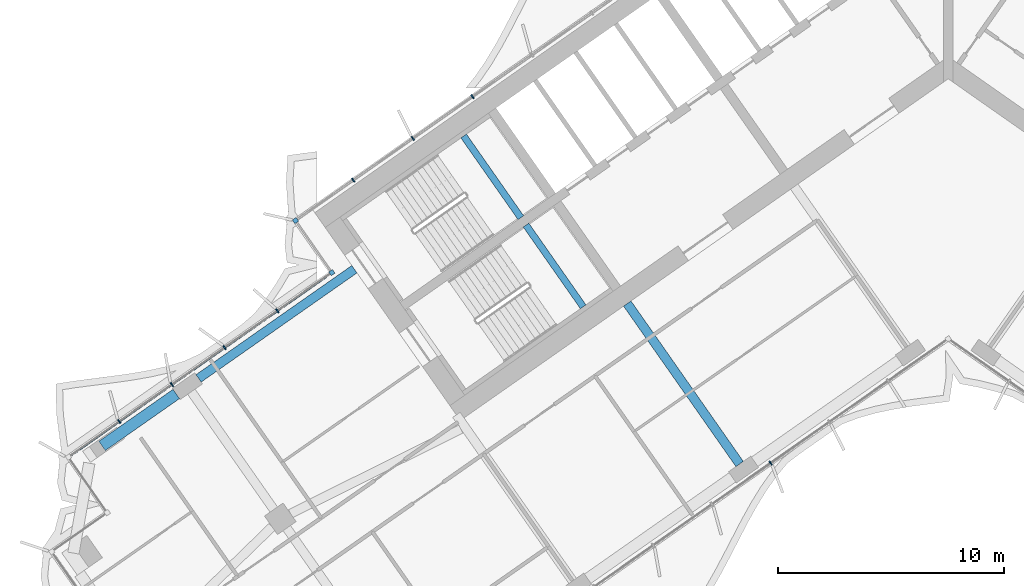
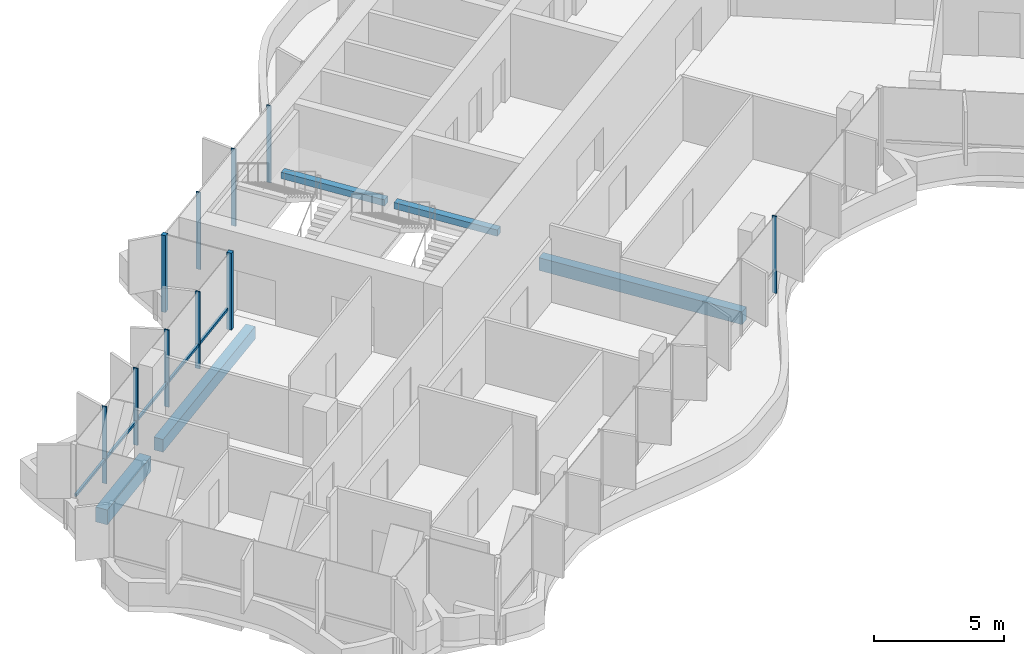
# One storey, part 4 of 21: 11 members, 5 beams, 2 elements without a shape of their own.
"""IFC4 building model written with IfcOpenShell, lengths in metres."""

from ifc_helpers import new_model, si_unit, direction, frame, origin, origin_2d, place, context, subcontext, project, spatial, rectangle, extrude, material, material_profile, profile_set, type_object, element, aggregate, save


model = new_model("IFC4")

# Units and contexts
model_context = context("Model", 3, precision=1e-05, world=origin(), true_north=direction((0.0, 1.0)))
body_context = subcontext(model_context, "Body", "Model", "MODEL_VIEW")
ifc_project = project(units=[si_unit("LENGTHUNIT", "METRE"), si_unit("AREAUNIT", "SQUARE_METRE"), si_unit("VOLUMEUNIT", "CUBIC_METRE"), si_unit("PLANEANGLEUNIT", "RADIAN"), si_unit("MASSUNIT", "GRAM", prefix="KILO")], contexts=[model_context])

# Site, building, storey
site_placement = place(None, origin())
site = spatial("IfcSite", under=ifc_project, at=site_placement, CompositionType="ELEMENT")
building_placement = place(site_placement, origin())
building = spatial("IfcBuilding", under=site, at=building_placement, Name="Tel Ilan Convention Tower", CompositionType="ELEMENT")
storey_placement = place(building_placement, frame((0.0, 0.0, 163.199951171875)))
storey = spatial("IfcBuildingStorey", under=building, at=storey_placement, Name="L37", CompositionType="ELEMENT", Elevation=163.199951171875)

# Beams
ifc_material_1 = material(Name="Concrete C40/50", Category="concrete")
ifc_material_profile_1 = material_profile(ifc_material_1, rectangle(XDim=0.39990234375, YDim=0.60009765625, at=origin_2d()), Name="RC 400x600")
ifc_profile_set_1 = profile_set([ifc_material_profile_1], Name="Concrete C40/50")
beam_type_1 = type_object("IfcBeamType", Name="Beam RC 400x600 Concrete C40/50", PredefinedType="BEAM", material=ifc_profile_set_1)
beam_1_placement = place(storey_placement, frame((-33.09912109375, -14.44775390625, -0.579833984375), z_axis=(0.819147254605, 0.573583276668, 0.0), x_axis=(-0.573583276668, 0.819147254605, 0.0)))
element("IfcBeam", 1, at=beam_1_placement, inside=storey, type_object=beam_type_1, Name="L37 beam W-W-B4-core", PredefinedType="BEAM", context=body_context, shape_type="SweptSolid", body=[
    extrude(rectangle(XDim=0.39990234375, YDim=0.60009765625, at=origin_2d()), origin(), (0.0, 0.0, 1.0), 8.400146484375),
])
beam_2_placement = place(storey_placement, frame((-9.209716796875, -18.229248046875, -0.579833984375), z_axis=(-0.573574099654, 0.819153680457, 0.0), x_axis=(-0.819153680457, -0.573574099654, 0.0)))
element("IfcBeam", 2, at=beam_2_placement, inside=storey, type_object=beam_type_1, Name="L37 beam W-W-F2-core", PredefinedType="BEAM", context=body_context, shape_type="SweptSolid", body=[
    extrude(rectangle(XDim=0.39990234375, YDim=0.60009765625, at=origin_2d()), origin(), (0.0, 0.0, 1.0), 8.64990234375),
])
ifc_material_2 = material(Name="Concrete C40/50", Category="concrete")
ifc_material_profile_2 = material_profile(ifc_material_2, rectangle(XDim=0.5, YDim=0.699951171875, at=origin_2d()), Name="RC 500x700")
ifc_profile_set_2 = profile_set([ifc_material_profile_2], Name="Concrete C40/50")
beam_type_2 = type_object("IfcBeamType", Name="Beam RC 500x700 Concrete C40/50", PredefinedType="BEAM", material=ifc_profile_set_2)
beam_3_placement = place(storey_placement, frame((-37.358642578125, -17.430419921875, -0.6298828125), z_axis=(0.819137286189, 0.573597512525, 0.0), x_axis=(-0.573597512525, 0.819137286189, 0.0)))
element("IfcBeam", 3, at=beam_3_placement, inside=storey, type_object=beam_type_2, Name="L37 beam W-W-BC-W-B4", PredefinedType="BEAM", context=body_context, shape_type="SweptSolid", body=[
    extrude(rectangle(XDim=0.5, YDim=0.699951171875, at=origin_2d()), origin(), (0.0, 0.0, 1.0), 4.0),
])

# Curtain wall, members
ifc_material_3 = material(Name="Aluminium, bronze anodised", Category="aluminium")
curtain_wall_type_1 = type_object("IfcCurtainWallType", Name="CW2 STICK CURTAIN WALL, SPANDREL PANELS", PredefinedType="NOTDEFINED", material=ifc_material_3)
curtain_wall_1_placement = place(storey_placement, origin())
curtain_wall_1 = element("IfcCurtainWall", 4, at=curtain_wall_1_placement, inside=storey, type_object=curtain_wall_type_1, Name="Curtain wall CW2-29.01", PredefinedType="NOTDEFINED")
ifc_material_4 = material(Name="Aluminium, bronze anodised", Category="aluminium")
ifc_material_profile_3 = material_profile(ifc_material_4, rectangle(XDim=0.199951171875, YDim=0.199951171875, at=origin_2d()), Name="CW CORNER MULLION 200x200")
ifc_profile_set_3 = profile_set([ifc_material_profile_3], Name="Aluminium, bronze anodised")
member_type_1 = type_object("IfcMemberType", Name="CW CORNER MULLION 200x200", PredefinedType="MULLION", material=ifc_profile_set_3)
member_1_placement = place(storey_placement, frame((-28.819580078125, -7.483642578125, 0.0), z_axis=(0.0, 0.0, 1.0), x_axis=(-0.819152044289, -0.573576436351, 0.0)))
member_1 = element("IfcMember", 5, at=member_1_placement, type_object=member_type_1, Name="Corner mullion", PredefinedType="MULLION", context=body_context, shape_type="SweptSolid", body=[
    extrude(rectangle(XDim=0.199951171875, YDim=0.199951171875, at=origin_2d()), origin(), (0.0, 0.0, 1.0), 3.6201171875),
])
member_2_placement = place(storey_placement, frame((-27.213623046875, -9.77734375, 0.0), z_axis=(0.0, 0.0, 1.0), x_axis=(0.573576436351, -0.819152044289, 0.0)))
member_2 = element("IfcMember", 6, at=member_2_placement, type_object=member_type_1, Name="Corner mullion", PredefinedType="MULLION", context=body_context, shape_type="SweptSolid", body=[
    extrude(rectangle(XDim=0.199951171875, YDim=0.199951171875, at=origin_2d()), origin(), (0.0, 0.0, 1.0), 3.6201171875),
])
ifc_material_5 = material(Name="Aluminium, bronze anodised", Category="aluminium")
ifc_material_profile_4 = material_profile(ifc_material_5, rectangle(XDim=0.06005859375, YDim=0.199951171875, at=origin_2d()), Name="CW MULLION 60x200")
ifc_profile_set_4 = profile_set([ifc_material_profile_4], Name="Aluminium, bronze anodised")
member_type_2 = type_object("IfcMemberType", Name="CW MULLION 60x200", PredefinedType="MULLION", material=ifc_profile_set_4)
member_3_placement = place(storey_placement, frame((-21.003662109375, -2.0107421875, 0.0), z_axis=(0.0, 0.0, 1.0), x_axis=(-0.819152044289, -0.573576436351, 0.0)))
member_3 = element("IfcMember", 7, at=member_3_placement, type_object=member_type_2, Name="Mullion", PredefinedType="MULLION", context=body_context, shape_type="SweptSolid", body=[
    extrude(rectangle(XDim=0.06005859375, YDim=0.199951171875, at=origin_2d()), origin(), (0.0, 0.0, 1.0), 3.6201171875),
])
member_4_placement = place(storey_placement, frame((-23.63623046875, -3.854248046875, 0.0), z_axis=(0.0, 0.0, 1.0), x_axis=(-0.819152044289, -0.573576436351, 0.0)))
member_4 = element("IfcMember", 8, at=member_4_placement, type_object=member_type_2, Name="Mullion", PredefinedType="MULLION", context=body_context, shape_type="SweptSolid", body=[
    extrude(rectangle(XDim=0.06005859375, YDim=0.199951171875, at=origin_2d()), origin(), (0.0, 0.0, 1.0), 3.6201171875),
])
member_5_placement = place(storey_placement, frame((-26.268798828125, -5.697509765625, 0.0), z_axis=(0.0, 0.0, 1.0), x_axis=(-0.819152044289, -0.573576436351, 0.0)))
member_5 = element("IfcMember", 9, at=member_5_placement, type_object=member_type_2, Name="Mullion", PredefinedType="MULLION", context=body_context, shape_type="SweptSolid", body=[
    extrude(rectangle(XDim=0.06005859375, YDim=0.199951171875, at=origin_2d()), origin(), (0.0, 0.0, 1.0), 3.6201171875),
])
aggregate(curtain_wall_1, [member_3, member_4, member_5, member_1, member_2])

ifc_material_6 = material(Name="Aluminium, bronze anodised", Category="aluminium")
curtain_wall_type_2 = type_object("IfcCurtainWallType", Name="CW4 STICK CURTAIN WALL, OFFICE TINTED GLASS", PredefinedType="NOTDEFINED", material=ifc_material_6)
curtain_wall_2_placement = place(storey_placement, origin())
curtain_wall_2 = element("IfcCurtainWall", 10, at=curtain_wall_2_placement, inside=storey, type_object=curtain_wall_type_2, Name="Curtain wall CW4-29.02", PredefinedType="NOTDEFINED")
member_6_placement = place(storey_placement, frame((-29.621826171875, -11.463623046875, 0.0), z_axis=(0.0, 0.0, 1.0), x_axis=(-0.819152044289, -0.573576436351, 0.0)))
member_6 = element("IfcMember", 11, at=member_6_placement, type_object=member_type_2, Name="Mullion", PredefinedType="MULLION", context=body_context, shape_type="SweptSolid", body=[
    extrude(rectangle(XDim=0.06005859375, YDim=0.199951171875, at=origin_2d()), origin(), (0.0, 0.0, 1.0), 3.6201171875),
])
member_7_placement = place(storey_placement, frame((-31.9482421875, -13.092529296875, 0.0), z_axis=(0.0, 0.0, 1.0), x_axis=(-0.819152044289, -0.573576436351, 0.0)))
member_7 = element("IfcMember", 12, at=member_7_placement, type_object=member_type_2, Name="Mullion", PredefinedType="MULLION", context=body_context, shape_type="SweptSolid", body=[
    extrude(rectangle(XDim=0.06005859375, YDim=0.199951171875, at=origin_2d()), origin(), (0.0, 0.0, 1.0), 3.6201171875),
])
member_8_placement = place(storey_placement, frame((-34.274658203125, -14.721435546875, 0.0), z_axis=(0.0, 0.0, 1.0), x_axis=(-0.819152044289, -0.573576436351, 0.0)))
member_8 = element("IfcMember", 13, at=member_8_placement, type_object=member_type_2, Name="Mullion", PredefinedType="MULLION", context=body_context, shape_type="SweptSolid", body=[
    extrude(rectangle(XDim=0.06005859375, YDim=0.199951171875, at=origin_2d()), origin(), (0.0, 0.0, 1.0), 3.6201171875),
])
member_9_placement = place(storey_placement, frame((-36.60107421875, -16.350341796875, 0.0), z_axis=(0.0, 0.0, 1.0), x_axis=(-0.819152044289, -0.573576436351, 0.0)))
member_9 = element("IfcMember", 14, at=member_9_placement, type_object=member_type_2, Name="Mullion", PredefinedType="MULLION", context=body_context, shape_type="SweptSolid", body=[
    extrude(rectangle(XDim=0.06005859375, YDim=0.199951171875, at=origin_2d()), origin(), (0.0, 0.0, 1.0), 3.6201171875),
])
member_10_placement = place(storey_placement, frame((-7.842529296875, -18.1875, 0.0), z_axis=(0.0, 0.0, 1.0), x_axis=(0.819152044289, 0.573576436351, 0.0)))
member_10 = element("IfcMember", 15, at=member_10_placement, type_object=member_type_2, Name="Mullion", PredefinedType="MULLION", context=body_context, shape_type="SweptSolid", body=[
    extrude(rectangle(XDim=0.06005859375, YDim=0.199951171875, at=origin_2d()), origin(), (0.0, 0.0, 1.0), 3.6201171875),
])
ifc_material_7 = material(Name="Aluminium, bronze anodised", Category="aluminium")
ifc_material_profile_5 = material_profile(ifc_material_7, rectangle(XDim=0.10009765625, YDim=0.1201171875, at=origin_2d()), Name="CW TRANSOM 100x120")
ifc_profile_set_5 = profile_set([ifc_material_profile_5], Name="Aluminium, bronze anodised")
member_type_3 = type_object("IfcMemberType", Name="CW TRANSOM 100x120", PredefinedType="USERDEFINED", material=ifc_profile_set_5)
member_11_placement = place(storey_placement, frame((-27.459228515625, -9.94921875, 1.10009765625), z_axis=(-0.819149630799, -0.573579883156, 0.0), x_axis=(0.573579883156, -0.819149630799, 0.0)))
member_11 = element("IfcMember", 16, at=member_11_placement, type_object=member_type_3, Name="Transom", ObjectType="TRANSOM", PredefinedType="USERDEFINED", context=body_context, shape_type="SweptSolid", body=[
    extrude(rectangle(XDim=0.10009765625, YDim=0.1201171875, at=origin_2d()), origin(), (0.0, 0.0, 1.0), 13.80029296875),
])
aggregate(curtain_wall_2, [member_6, member_7, member_8, member_9, member_11, member_10])

# Beams
ifc_material_8 = material(Name="Concrete C40/50", Category="concrete")
ifc_material_profile_6 = material_profile(ifc_material_8, rectangle(XDim=0.300048828125, YDim=0.300048828125, at=origin_2d()), Name="RC 300x300")
ifc_profile_set_6 = profile_set([ifc_material_profile_6], Name="Concrete C40/50")
beam_type_3 = type_object("IfcBeamType", Name="Landing Beam RC 300x300 Concrete C40/50", PredefinedType="BEAM", material=ifc_profile_set_6)
beam_4_placement = place(storey_placement, frame((-18.870361328125, -7.353515625, 1.60009765625), z_axis=(-0.57354426506, 0.819174569928, 0.0), x_axis=(-0.819174569928, -0.57354426506, 0.0)))
element("IfcBeam", 17, at=beam_4_placement, inside=storey, type_object=beam_type_3, Name="S1 landing beam L37.1", PredefinedType="BEAM", context=body_context, shape_type="SweptSolid", body=[
    extrude(rectangle(XDim=0.300048828125, YDim=0.300048828125, at=origin_2d()), origin(), (0.0, 0.0, 1.0), 4.400146484375),
])
beam_5_placement = place(storey_placement, frame((-16.1171875, -11.285400390625, 1.60009765625), z_axis=(-0.573570334442, 0.819156316858, 0.0), x_axis=(-0.819156316858, -0.573570334442, 0.0)))
element("IfcBeam", 18, at=beam_5_placement, inside=storey, type_object=beam_type_3, Name="S2 landing beam L37.1", PredefinedType="BEAM", context=body_context, shape_type="SweptSolid", body=[
    extrude(rectangle(XDim=0.300048828125, YDim=0.300048828125, at=origin_2d()), origin(), (0.0, 0.0, 1.0), 4.39990234375),
])

save(model, "model.ifc")
